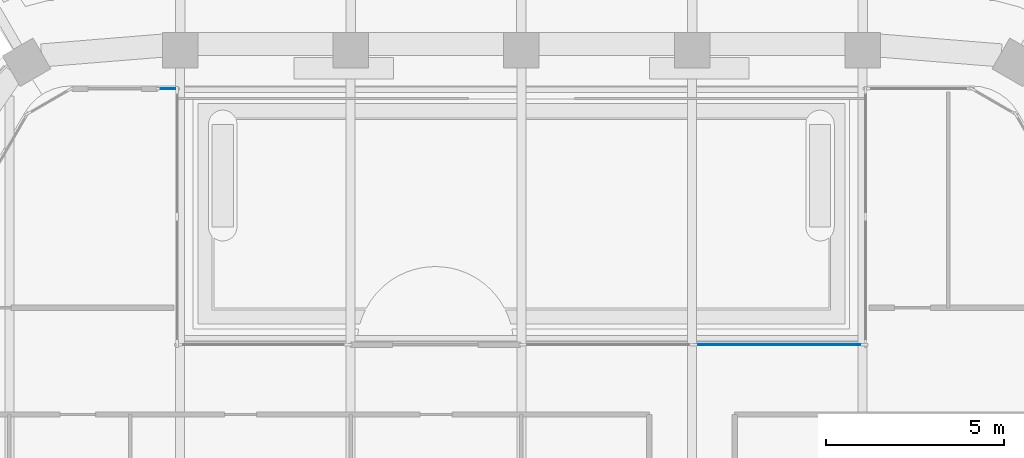
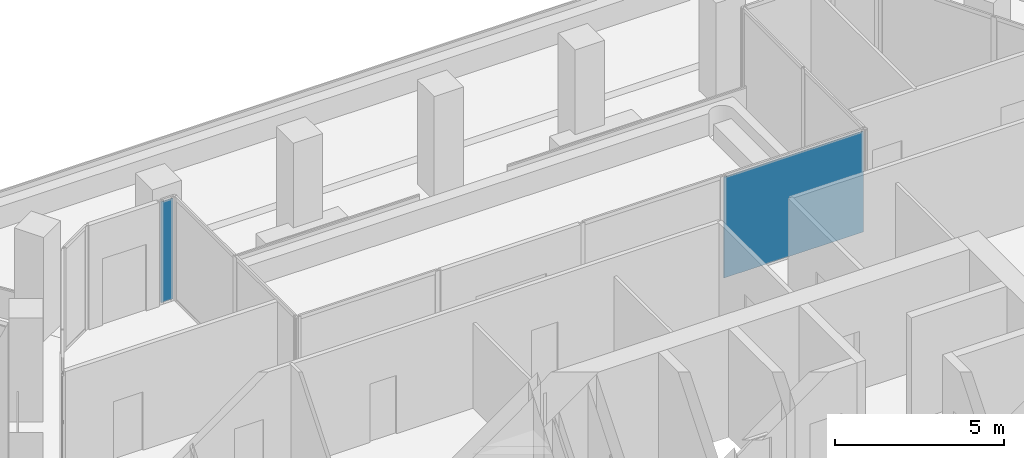
# One storey, part 10 of 17: 2 plates, 2 elements without a shape of their own.
"""IFC4 building model written with IfcOpenShell, lengths in metres."""

from ifc_helpers import new_model, si_unit, direction, frame, origin, origin_2d, place, context, subcontext, project, spatial, rectangle, extrude, material, layer, layer_set, type_object, element, aggregate, save


model = new_model("IFC4")

# Units and contexts
model_context = context("Model", 3, precision=1e-05, world=origin(), true_north=direction((0.0, 1.0)))
body_context = subcontext(model_context, "Body", "Model", "MODEL_VIEW")
ifc_project = project(units=[si_unit("LENGTHUNIT", "METRE"), si_unit("AREAUNIT", "SQUARE_METRE"), si_unit("VOLUMEUNIT", "CUBIC_METRE"), si_unit("PLANEANGLEUNIT", "RADIAN"), si_unit("MASSUNIT", "GRAM", prefix="KILO")], contexts=[model_context])

# Site, building, storey
site_placement = place(None, origin())
site = spatial("IfcSite", under=ifc_project, at=site_placement, CompositionType="ELEMENT")
building_placement = place(site_placement, origin())
building = spatial("IfcBuilding", under=site, at=building_placement, Name="Kolab Exchange Tower", CompositionType="ELEMENT")
storey_placement = place(building_placement, frame((0.0, 0.0, 166.10009765625)))
storey = spatial("IfcBuildingStorey", under=building, at=storey_placement, Name="L34", CompositionType="ELEMENT", Elevation=166.10009765625)

# Curtain wall, plate
ifc_material_1 = material(Name="Aluminium EN AW-6063 T6", Category="aluminium")
curtain_wall_type = type_object("IfcCurtainWallType", Name="UNITISED UPPER MID ZONE CURTAIN WALL", PredefinedType="NOTDEFINED", material=ifc_material_1)
curtain_wall_1_placement = place(storey_placement, origin())
curtain_wall_1 = element("IfcCurtainWall", 1, at=curtain_wall_1_placement, inside=storey, type_object=curtain_wall_type, Name="cw/L34/F1-l-1", PredefinedType="NOTDEFINED")
ifc_material_2 = material(Name="Clear insulated glazing unit", Category="glass")
ifc_layer = layer(ifc_material_2, 0.028076171875)
ifc_layer_set = layer_set([ifc_layer], Name="Clear insulated glazing unit")
plate_type = type_object("IfcPlateType", Name="UNITISED UPPER MID ZONE GLASS PANEL 28", PredefinedType="CURTAIN_PANEL", material=ifc_layer_set)
plate_1_placement = place(storey_placement, frame((-9.944091796875, 23.361572265625, 0.06005859375), z_axis=(0.0, 0.0, 1.0), x_axis=(1.0, 0.0, 0.0)))
plate_1 = element("IfcPlate", 2, at=plate_1_placement, type_object=plate_type, Name="CW3 panel 1.1", PredefinedType="CURTAIN_PANEL", context=body_context, shape_type="SweptSolid", body=[
    extrude(rectangle(XDim=0.407958984375, YDim=0.028076171875, at=origin_2d()), origin(), (0.0, 0.0, 1.0), 3.6298828125),
])
aggregate(curtain_wall_1, [plate_1])

curtain_wall_2_placement = place(storey_placement, origin())
curtain_wall_2 = element("IfcCurtainWall", 3, at=curtain_wall_2_placement, inside=storey, type_object=curtain_wall_type, Name="cw/L34/F1-back-2", PredefinedType="NOTDEFINED")
plate_2_placement = place(storey_placement, frame((7.2451171875, 16.16162109375, 0.06005859375), z_axis=(0.0, 0.0, 1.0), x_axis=(1.0, 0.0, 0.0)))
plate_2 = element("IfcPlate", 4, at=plate_2_placement, type_object=plate_type, Name="CW3 panel 2.1", PredefinedType="CURTAIN_PANEL", context=body_context, shape_type="SweptSolid", body=[
    extrude(rectangle(XDim=4.75, YDim=0.028076171875, at=origin_2d()), origin(), (0.0, 0.0, 1.0), 3.6298828125),
])
aggregate(curtain_wall_2, [plate_2])

save(model, "model.ifc")
